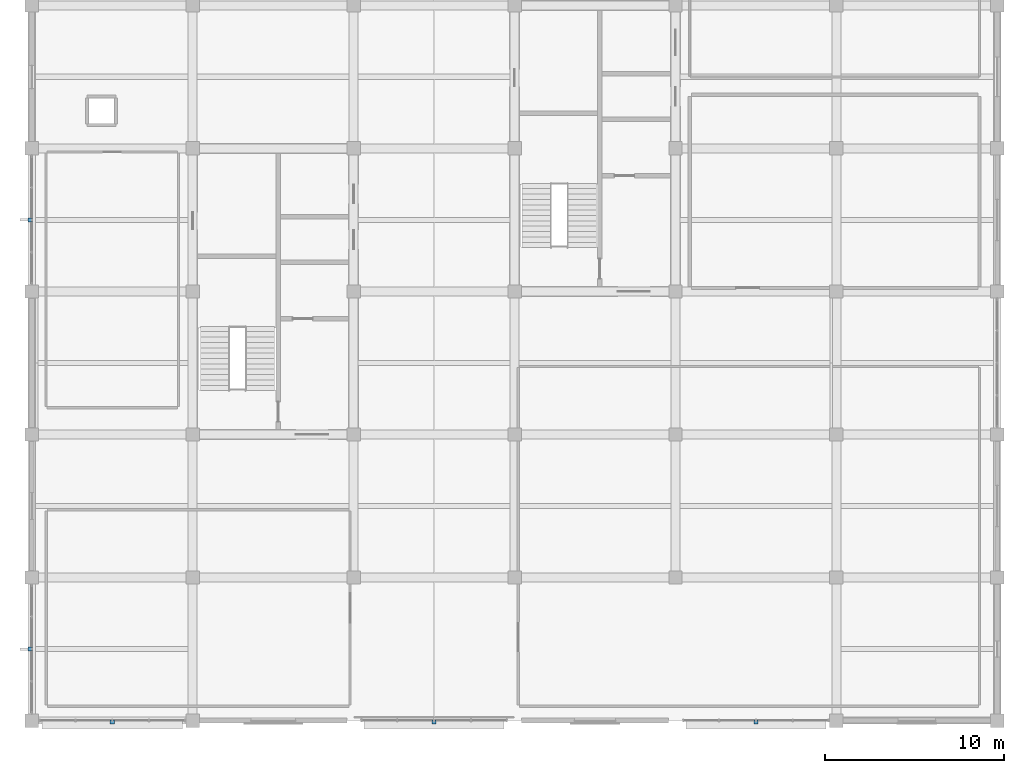
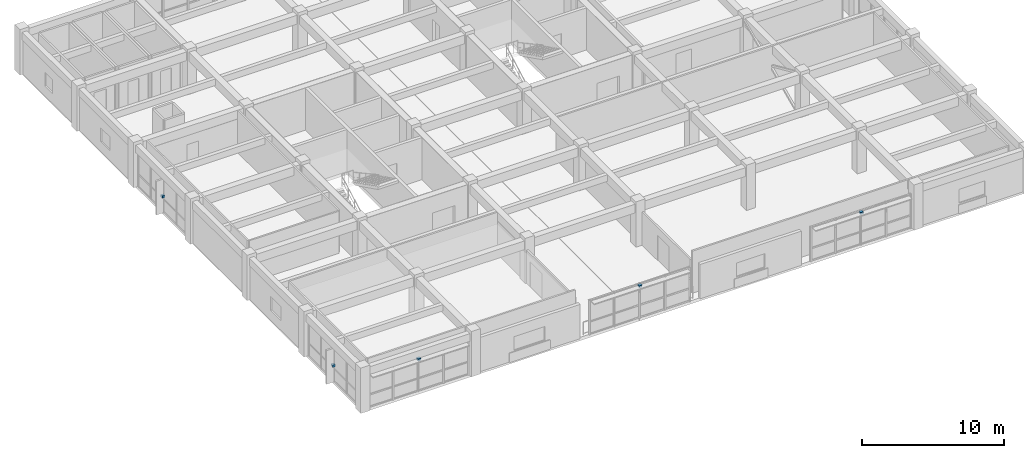
# One storey, part 14 of 15: 5 discrete accessories.
"""IFC4 building model written with IfcOpenShell, lengths in metres."""

from ifc_helpers import new_model, si_unit, direction, frame, origin, origin_2d, place, context, subcontext, project, spatial, rectangle, extrude, material, layer, layer_set, type_object, element, save


model = new_model("IFC4")

# Units and contexts
model_context = context("Model", 3, precision=1e-05, world=origin(), true_north=direction((0.0, 1.0)))
body_context = subcontext(model_context, "Body", "Model", "MODEL_VIEW")
ifc_project = project(units=[si_unit("LENGTHUNIT", "METRE"), si_unit("AREAUNIT", "SQUARE_METRE"), si_unit("VOLUMEUNIT", "CUBIC_METRE"), si_unit("PLANEANGLEUNIT", "RADIAN"), si_unit("MASSUNIT", "GRAM", prefix="KILO")], contexts=[model_context])

# Site, building, storey
site_placement = place(None, origin())
site = spatial("IfcSite", under=ifc_project, at=site_placement, CompositionType="ELEMENT")
building_placement = place(site_placement, origin())
building = spatial("IfcBuilding", under=site, at=building_placement, Name="Zaverband Oceanarium and Marine Research Institute", CompositionType="ELEMENT")
storey_placement = place(building_placement, frame((0.0, 0.0, 49.199951171875)))
storey = spatial("IfcBuildingStorey", under=building, at=storey_placement, Name="L12", CompositionType="ELEMENT", Elevation=49.199951171875)

# Discrete accessories
ifc_material = material(Name="Steel S355", Category="steel")
ifc_layer = layer(ifc_material, 0.179931640625, Name="Steel S355")
ifc_layer_set = layer_set([ifc_layer], Name="Steel S355")
discrete_accessory_type = type_object("IfcDiscreteAccessoryType", Name="BRK-STL-200", PredefinedType="BRACKET", material=ifc_layer_set)
for number, where, z_axis, x_axis, name in (
    (1, (13.5, 63.919921875, 2.72021484375), (0.0, 0.0, 1.0), (1.0, 0.0, 0.0), "Galvanized steel facade fin structural bracket BRK-STL-200"),
    (2, (31.5, 63.919921875, 2.72021484375), (0.0, 0.0, 1.0), (1.0, 0.0, 0.0), "Galvanized steel facade fin structural bracket BRK-STL-200"),
    (3, (49.5, 63.919921875, 2.72021484375), (0.0, 0.0, 1.0), (1.0, 0.0, 0.0), "Galvanized steel facade fin structural bracket BRK-STL-200"),
    (4, (8.919921875, 68.0, 1.3203125), (0.0, 0.0, 1.0), (1.0, 0.0, 0.0), "Galvanized steel facade fin structural bracket BRK-STL-200"),
    (5, (8.919921875, 92.0, 1.3203125), (0.0, 0.0, 1.0), (1.0, 0.0, 0.0), "Galvanized steel facade fin structural bracket BRK-STL-200"),
):
    element("IfcDiscreteAccessory", number, at=place(storey_placement, frame(where, z_axis=z_axis, x_axis=x_axis)), inside=storey, type_object=discrete_accessory_type, Name=name, PredefinedType="BRACKET", context=body_context, shape_type="SweptSolid", body=[
        extrude(rectangle(XDim=0.239990234375, YDim=0.239990234375, at=origin_2d()), origin(), (0.0, 0.0, 1.0), 0.179931640625),
    ])

save(model, "model.ifc")
